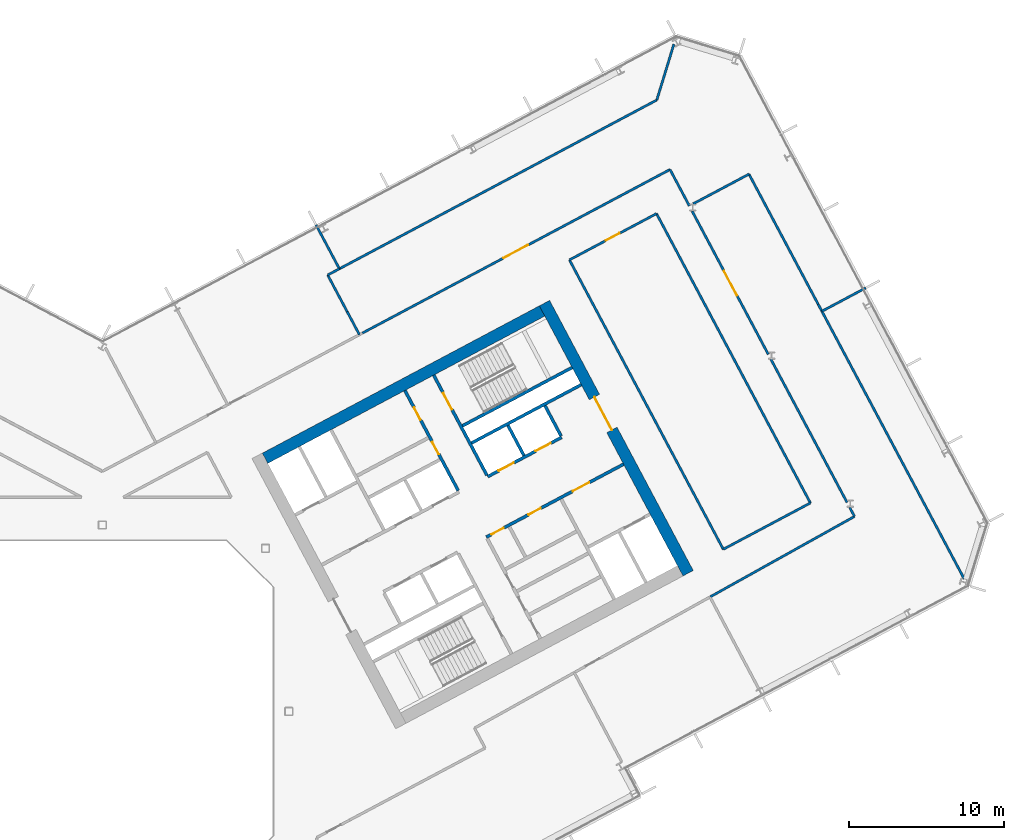
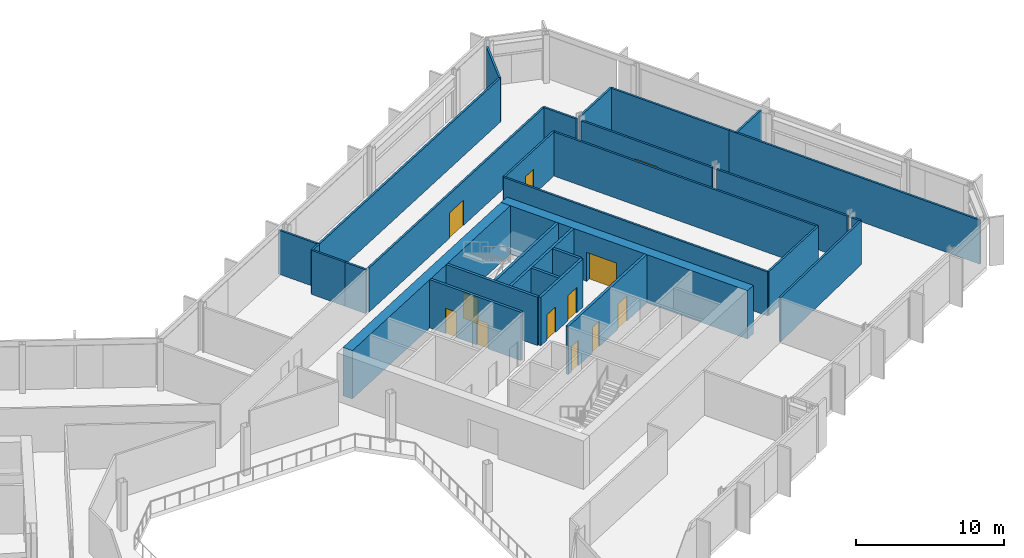
# One storey, part 17 of 28: 30 walls, 12 doors, 12 openings.
"""IFC4 building model written with IfcOpenShell, lengths in metres."""

from ifc_helpers import new_model, si_unit, direction, frame, frame_2d, origin, place, context, subcontext, project, spatial, rectangle, extrude, material, layer, layer_set, type_object, element, fill, save


model = new_model("IFC4")

# Units and contexts
model_context = context("Model", 3, precision=1e-05, world=origin(), true_north=direction((0.0, 1.0)))
body_context = subcontext(model_context, "Body", "Model", "MODEL_VIEW")
ifc_project = project(units=[si_unit("LENGTHUNIT", "METRE"), si_unit("AREAUNIT", "SQUARE_METRE"), si_unit("VOLUMEUNIT", "CUBIC_METRE"), si_unit("PLANEANGLEUNIT", "RADIAN"), si_unit("MASSUNIT", "GRAM", prefix="KILO")], contexts=[model_context])

# Site, building, storey
site_placement = place(None, origin())
site = spatial("IfcSite", under=ifc_project, at=site_placement, CompositionType="ELEMENT")
building_placement = place(site_placement, origin())
building = spatial("IfcBuilding", under=site, at=building_placement, Name="Cormorant Relay Tower", CompositionType="ELEMENT")
storey_placement = place(building_placement, frame((0.0, 0.0, 126.199951171875)))
storey = spatial("IfcBuildingStorey", under=building, at=storey_placement, Name="L25", CompositionType="ELEMENT", Elevation=126.199951171875)

# Wall
ifc_material_1 = material(Name="Concrete 40 MPa", Category="concrete")
ifc_layer_1 = layer(ifc_material_1, 0.199951171875)
ifc_layer_set_1 = layer_set([ifc_layer_1], Name="Core internal wall 200")
wall_type_1 = type_object("IfcWallType", Name="Core internal wall 200", PredefinedType="SOLIDWALL", material=ifc_layer_set_1)
wall_1_placement = place(storey_placement, frame((27.144287109375, 16.471435546875, 0.0), z_axis=(0.0, 0.0, 1.0), x_axis=(-0.469401318492, 0.882984938828, 0.0)))
element("IfcWall", 1, at=wall_1_placement, inside=storey, type_object=wall_type_1, Name="L25 core B shaft and room wall", PredefinedType="SOLIDWALL", context=body_context, shape_type="SweptSolid", body=[
    extrude(rectangle(XDim=2.199951171875, YDim=0.199951171875, at=frame_2d((1.10009765625, 0.0))), origin(), (0.0, 0.0, 1.0), 4.0),
])

# Wall, openings, doors
ifc_material_2 = material(Name="Concrete 50 MPa", Category="concrete")
ifc_layer_2 = layer(ifc_material_2, 0.199951171875)
ifc_layer_set_2 = layer_set([ifc_layer_2], Name="Core shaft wall 200")
wall_type_2 = type_object("IfcWallType", Name="Core shaft wall 200", PredefinedType="SHEAR", material=ifc_layer_set_2)
wall_2_placement = place(storey_placement, frame((22.90625, 14.218017578125, 0.0), z_axis=(0.0, 0.0, 1.0), x_axis=(-0.469480409012, 0.88294288918, 0.0)))
wall_2 = element("IfcWall", 2, at=wall_2_placement, inside=storey, type_object=wall_type_2, Name="L25 core B shaft wall", PredefinedType="SHEAR", context=body_context, shape_type="SweptSolid", body=[
    extrude(rectangle(XDim=7.300048828125, YDim=0.199951171875, at=frame_2d((3.64990234375, 0.0))), origin(), (0.0, 0.0, 1.0), 4.0),
])
opening_1_placement = place(wall_2_placement, frame((2.64990234375, 0.0, 0.0)))
opening_1 = element("IfcOpeningElement", 3, at=opening_1_placement, cuts=wall_2, Name="Opening CDD-179", PredefinedType="OPENING", context=body_context, shape_type="SweptSolid", body=[
    extrude(rectangle(XDim=0.89990234375, YDim=2.10009765625, at=frame_2d((0.449951171875, 1.050048828125))), frame((0.0, 0.10986328125, 0.0), z_axis=(0.0, -1.0, 0.0), x_axis=(1.0, 0.0, 0.0)), (0.0, 0.0, 1.0), 0.219970703125),
])
opening_2_placement = place(wall_2_placement, frame((5.14990234375, 0.0, 0.0)))
opening_2 = element("IfcOpeningElement", 4, at=opening_2_placement, cuts=wall_2, Name="Opening CDD-180", PredefinedType="OPENING", context=body_context, shape_type="SweptSolid", body=[
    extrude(rectangle(XDim=0.89990234375, YDim=2.10009765625, at=frame_2d((0.449951171875, 1.050048828125))), frame((0.0, 0.10986328125, 0.0), z_axis=(0.0, -1.0, 0.0), x_axis=(1.0, 0.0, 0.0)), (0.0, 0.0, 1.0), 0.219970703125),
])
ifc_material_3 = material(Name="Steel fire door", Category="steel")
door_type_1 = type_object("IfcDoorType", Name="Core room door 900x2100", OperationType="SINGLE_SWING_LEFT", PredefinedType="DOOR", material=ifc_material_3)
door_1_placement = place(opening_1_placement, frame((0.89990234375, 0.0, 0.0), z_axis=(0.0, 0.0, 1.0), x_axis=(-1.0, 0.0, 0.0)))
door_1 = element("IfcDoor", 5, at=door_1_placement, inside=storey, type_object=door_type_1, Name="Core room door 900x2100", OperationType="SINGLE_SWING_LEFT", OverallHeight=2.10009765625, OverallWidth=0.89990234375, PredefinedType="DOOR", context=body_context, shape_type="SweptSolid", body=[
    extrude(rectangle(XDim=0.89990234375, YDim=2.10009765625, at=frame_2d((0.449951171875, 1.050048828125))), frame((0.0, 0.02490234375, 0.0), z_axis=(0.0, -1.0, 0.0), x_axis=(1.0, 0.0, 0.0)), (0.0, 0.0, 1.0), 0.050048828125),
])
fill(opening_1, door_1)
door_2_placement = place(opening_2_placement, frame((0.89990234375, 0.0, 0.0), z_axis=(0.0, 0.0, 1.0), x_axis=(-1.0, 0.0, 0.0)))
door_2 = element("IfcDoor", 6, at=door_2_placement, inside=storey, type_object=door_type_1, Name="Core room door 900x2100", OperationType="SINGLE_SWING_LEFT", OverallHeight=2.10009765625, OverallWidth=0.89990234375, PredefinedType="DOOR", context=body_context, shape_type="SweptSolid", body=[
    extrude(rectangle(XDim=0.89990234375, YDim=2.10009765625, at=frame_2d((0.449951171875, 1.050048828125))), frame((0.0, 0.02490234375, 0.0), z_axis=(0.0, -1.0, 0.0), x_axis=(1.0, 0.0, 0.0)), (0.0, 0.0, 1.0), 0.050048828125),
])
fill(opening_2, door_2)

# Wall, opening, door
wall_3_placement = place(storey_placement, frame((24.760498046875, 15.2041015625, 0.0), z_axis=(0.0, 0.0, 1.0), x_axis=(-0.469494272526, 0.882935517501, 0.0)))
wall_3 = element("IfcWall", 7, at=wall_3_placement, inside=storey, type_object=wall_type_2, Name="L25 core B shaft wall", PredefinedType="SHEAR", context=body_context, shape_type="SweptSolid", body=[
    extrude(rectangle(XDim=7.2998046875, YDim=0.199951171875, at=frame_2d((3.64990234375, 0.0))), origin(), (0.0, 0.0, 1.0), 4.0),
])
opening_3_placement = place(wall_3_placement, frame((4.800048828125, 0.0, 0.0)))
opening_3 = element("IfcOpeningElement", 8, at=opening_3_placement, cuts=wall_3, Name="Opening CDB-037", PredefinedType="OPENING", context=body_context, shape_type="SweptSolid", body=[
    extrude(rectangle(XDim=1.199951171875, YDim=2.10009765625, at=frame_2d((0.60009765625, 1.050048828125))), frame((0.0, 0.10986328125, 0.0), z_axis=(0.0, -1.0, 0.0), x_axis=(1.0, 0.0, 0.0)), (0.0, 0.0, 1.0), 0.219970703125),
])
ifc_material_4 = material(Name="Steel fire door", Category="steel")
door_type_2 = type_object("IfcDoorType", Name="Core stair door 1200x2100", OperationType="SINGLE_SWING_LEFT", PredefinedType="DOOR", material=ifc_material_4)
door_3_placement = place(opening_3_placement, frame((1.199951171875, 0.0, 0.0), z_axis=(0.0, 0.0, 1.0), x_axis=(-1.0, 0.0, 0.0)))
door_3 = element("IfcDoor", 9, at=door_3_placement, inside=storey, type_object=door_type_2, Name="Core stair door 1200x2100", OperationType="SINGLE_SWING_RIGHT", OverallHeight=2.10009765625, OverallWidth=1.199951171875, PredefinedType="DOOR", context=body_context, shape_type="SweptSolid", body=[
    extrude(rectangle(XDim=1.199951171875, YDim=2.10009765625, at=frame_2d((0.60009765625, 1.050048828125))), frame((0.0, 0.02490234375, 0.0), z_axis=(0.0, -1.0, 0.0), x_axis=(1.0, 0.0, 0.0)), (0.0, 0.0, 1.0), 0.050048828125),
])
fill(opening_3, door_3)

# Wall
wall_4_placement = place(storey_placement, frame((29.5283203125, 17.739013671875, 0.0), z_axis=(0.0, 0.0, 1.0), x_axis=(-0.469401318492, 0.882984938828, 0.0)))
element("IfcWall", 10, at=wall_4_placement, inside=storey, type_object=wall_type_2, Name="L25 core B shaft wall", PredefinedType="SHEAR", context=body_context, shape_type="SweptSolid", body=[
    extrude(rectangle(XDim=2.199951171875, YDim=0.199951171875, at=frame_2d((1.10009765625, 0.0))), origin(), (0.0, 0.0, 1.0), 4.0),
])

# Wall, openings, doors
wall_5_placement = place(storey_placement, frame((24.72607421875, 11.2216796875, 0.0), z_axis=(0.0, 0.0, 1.0), x_axis=(0.882940221191, 0.469485426614, 0.0)))
wall_5 = element("IfcWall", 11, at=wall_5_placement, inside=storey, type_object=wall_type_2, Name="L25 core B shaft wall", PredefinedType="SHEAR", context=body_context, shape_type="SweptSolid", body=[
    extrude(rectangle(XDim=10.0, YDim=0.199951171875, at=frame_2d((5.0, 0.0))), origin(), (0.0, 0.0, 1.0), 4.0),
])
opening_4_placement = place(wall_5_placement, frame((6.300048828125, 0.0, 0.0)))
opening_4 = element("IfcOpeningElement", 12, at=opening_4_placement, cuts=wall_5, Name="Opening CDC-028", PredefinedType="OPENING", context=body_context, shape_type="SweptSolid", body=[
    extrude(rectangle(XDim=1.199951171875, YDim=2.10009765625, at=frame_2d((0.60009765625, 1.050048828125))), frame((0.0, 0.10986328125, 0.0), z_axis=(0.0, -1.0, 0.0), x_axis=(1.0, 0.0, 0.0)), (0.0, 0.0, 1.0), 0.219970703125),
])
opening_5_placement = place(wall_5_placement, frame((0.360107421875, 0.0, 0.0)))
opening_5 = element("IfcOpeningElement", 13, at=opening_5_placement, cuts=wall_5, Name="Opening CDD-177", PredefinedType="OPENING", context=body_context, shape_type="SweptSolid", body=[
    extrude(rectangle(XDim=0.89990234375, YDim=2.10009765625, at=frame_2d((0.449951171875, 1.050048828125))), frame((0.0, 0.10986328125, 0.0), z_axis=(0.0, -1.0, 0.0), x_axis=(1.0, 0.0, 0.0)), (0.0, 0.0, 1.0), 0.219970703125),
])
opening_6_placement = place(wall_5_placement, frame((3.06005859375, 0.0, 0.0)))
opening_6 = element("IfcOpeningElement", 14, at=opening_6_placement, cuts=wall_5, Name="Opening CDD-178", PredefinedType="OPENING", context=body_context, shape_type="SweptSolid", body=[
    extrude(rectangle(XDim=0.89990234375, YDim=2.10009765625, at=frame_2d((0.449951171875, 1.050048828125))), frame((0.0, 0.10986328125, 0.0), z_axis=(0.0, -1.0, 0.0), x_axis=(1.0, 0.0, 0.0)), (0.0, 0.0, 1.0), 0.219970703125),
])
ifc_material_5 = material(Name="Steel fire door", Category="steel")
door_type_3 = type_object("IfcDoorType", Name="Core lobby door 1200x2100", OperationType="SINGLE_SWING_LEFT", PredefinedType="DOOR", material=ifc_material_5)
door_4_placement = place(opening_4_placement, frame((1.199951171875, 0.0, 0.0), z_axis=(0.0, 0.0, 1.0), x_axis=(-1.0, 0.0, 0.0)))
door_4 = element("IfcDoor", 15, at=door_4_placement, inside=storey, type_object=door_type_3, Name="Core lobby door 1200x2100", OperationType="SINGLE_SWING_RIGHT", OverallHeight=2.10009765625, OverallWidth=1.199951171875, PredefinedType="DOOR", context=body_context, shape_type="SweptSolid", body=[
    extrude(rectangle(XDim=1.199951171875, YDim=2.10009765625, at=frame_2d((0.60009765625, 1.050048828125))), frame((0.0, 0.02490234375, 0.0), z_axis=(0.0, -1.0, 0.0), x_axis=(1.0, 0.0, 0.0)), (0.0, 0.0, 1.0), 0.050048828125),
])
fill(opening_4, door_4)
door_5_placement = place(opening_5_placement, frame((0.89990234375, 0.0, 0.0), z_axis=(0.0, 0.0, 1.0), x_axis=(-1.0, 0.0, 0.0)))
door_5 = element("IfcDoor", 16, at=door_5_placement, inside=storey, type_object=door_type_1, Name="Core room door 900x2100", OperationType="SINGLE_SWING_RIGHT", OverallHeight=2.10009765625, OverallWidth=0.89990234375, PredefinedType="DOOR", context=body_context, shape_type="SweptSolid", body=[
    extrude(rectangle(XDim=0.89990234375, YDim=2.10009765625, at=frame_2d((0.449951171875, 1.050048828125))), frame((0.0, 0.02490234375, 0.0), z_axis=(0.0, -1.0, 0.0), x_axis=(1.0, 0.0, 0.0)), (0.0, 0.0, 1.0), 0.050048828125),
])
fill(opening_5, door_5)
door_6_placement = place(opening_6_placement, frame((0.89990234375, 0.0, 0.0), z_axis=(0.0, 0.0, 1.0), x_axis=(-1.0, 0.0, 0.0)))
door_6 = element("IfcDoor", 17, at=door_6_placement, inside=storey, type_object=door_type_1, Name="Core room door 900x2100", OperationType="SINGLE_SWING_RIGHT", OverallHeight=2.10009765625, OverallWidth=0.89990234375, PredefinedType="DOOR", context=body_context, shape_type="SweptSolid", body=[
    extrude(rectangle(XDim=0.89990234375, YDim=2.10009765625, at=frame_2d((0.449951171875, 1.050048828125))), frame((0.0, 0.02490234375, 0.0), z_axis=(0.0, -1.0, 0.0), x_axis=(1.0, 0.0, 0.0)), (0.0, 0.0, 1.0), 0.050048828125),
])
fill(opening_6, door_6)

wall_6_placement = place(storey_placement, frame((24.807373046875, 15.11572265625, 0.0), z_axis=(0.0, 0.0, 1.0), x_axis=(0.882942972946, 0.469480251476, 0.0)))
wall_6 = element("IfcWall", 18, at=wall_6_placement, inside=storey, type_object=wall_type_2, Name="L25 core B shaft wall", PredefinedType="SHEAR", context=body_context, shape_type="SweptSolid", body=[
    extrude(rectangle(XDim=5.39990234375, YDim=0.199951171875, at=frame_2d((2.699951171875, 0.0))), origin(), (0.0, 0.0, 1.0), 4.0),
])
opening_7_placement = place(wall_6_placement, frame((0.800048828125, 0.0, 0.0)))
opening_7 = element("IfcOpeningElement", 19, at=opening_7_placement, cuts=wall_6, Name="Opening LD1-046", PredefinedType="OPENING", context=body_context, shape_type="SweptSolid", body=[
    extrude(rectangle(XDim=1.10009765625, YDim=2.10009765625, at=frame_2d((0.550048828125, 1.050048828125))), frame((0.0, 0.10986328125, 0.0), z_axis=(0.0, -1.0, 0.0), x_axis=(1.0, 0.0, 0.0)), (0.0, 0.0, 1.0), 0.219970703125),
])
opening_8_placement = place(wall_6_placement, frame((3.5, 0.0, 0.0)))
opening_8 = element("IfcOpeningElement", 20, at=opening_8_placement, cuts=wall_6, Name="Opening LD1-047", PredefinedType="OPENING", context=body_context, shape_type="SweptSolid", body=[
    extrude(rectangle(XDim=1.10009765625, YDim=2.10009765625, at=frame_2d((0.550048828125, 1.050048828125))), frame((0.0, 0.10986328125, 0.0), z_axis=(0.0, -1.0, 0.0), x_axis=(1.0, 0.0, 0.0)), (0.0, 0.0, 1.0), 0.219970703125),
])
ifc_material_6 = material(Name="Stainless steel 316", Category="steel")
door_type_4 = type_object("IfcDoorType", Name="Lift landing door 1100x2100", OperationType="DOUBLE_DOOR_SLIDING", PredefinedType="DOOR", material=ifc_material_6)
door_7_placement = place(opening_7_placement, origin())
door_7 = element("IfcDoor", 21, at=door_7_placement, inside=storey, type_object=door_type_4, Name="LR3 landing door", OperationType="DOUBLE_DOOR_SLIDING", OverallHeight=2.10009765625, OverallWidth=1.10009765625, PredefinedType="DOOR", context=body_context, shape_type="SweptSolid", body=[
    extrude(rectangle(XDim=1.10009765625, YDim=2.10009765625, at=frame_2d((0.550048828125, 1.050048828125))), frame((0.0, 0.02490234375, 0.0), z_axis=(0.0, -1.0, 0.0), x_axis=(1.0, 0.0, 0.0)), (0.0, 0.0, 1.0), 0.050048828125),
])
fill(opening_7, door_7)
door_8_placement = place(opening_8_placement, origin())
door_8 = element("IfcDoor", 22, at=door_8_placement, inside=storey, type_object=door_type_4, Name="LR4 landing door", OperationType="DOUBLE_DOOR_SLIDING", OverallHeight=2.10009765625, OverallWidth=1.10009765625, PredefinedType="DOOR", context=body_context, shape_type="SweptSolid", body=[
    extrude(rectangle(XDim=1.10009765625, YDim=2.10009765625, at=frame_2d((0.550048828125, 1.050048828125))), frame((0.0, 0.02490234375, 0.0), z_axis=(0.0, -1.0, 0.0), x_axis=(1.0, 0.0, 0.0)), (0.0, 0.0, 1.0), 0.050048828125),
])
fill(opening_8, door_8)

# Walls
wall_7_placement = place(storey_placement, frame((23.76904296875, 17.28173828125, 0.0), z_axis=(0.0, 0.0, 1.0), x_axis=(0.882940221191, 0.469485426614, 0.0)))
element("IfcWall", 23, at=wall_7_placement, inside=storey, type_object=wall_type_2, Name="L25 core B shaft wall", PredefinedType="SHEAR", context=body_context, shape_type="SweptSolid", body=[
    extrude(rectangle(XDim=8.0, YDim=0.199951171875, at=frame_2d((4.0, 0.0))), origin(), (0.0, 0.0, 1.0), 4.0),
])
wall_8_placement = place(storey_placement, frame((23.18212890625, 18.385498046875, 0.0), z_axis=(0.0, 0.0, 1.0), x_axis=(0.88295287151, 0.469461634952, 0.0)))
element("IfcWall", 24, at=wall_8_placement, inside=storey, type_object=wall_type_2, Name="L25 core B shaft wall", PredefinedType="SHEAR", context=body_context, shape_type="SweptSolid", body=[
    extrude(rectangle(XDim=7.999755859375, YDim=0.199951171875, at=frame_2d((4.0, 0.0))), origin(), (0.0, 0.0, 1.0), 4.0),
])

# Wall, opening, door
ifc_material_7 = material(Name="Concrete 60 MPa", Category="concrete")
ifc_layer_3 = layer(ifc_material_7, 0.75)
ifc_layer_set_3 = layer_set([ifc_layer_3], Name="Core wall 750")
wall_type_3 = type_object("IfcWallType", Name="Core wall 750", PredefinedType="SHEAR", material=ifc_layer_set_3)
wall_9_placement = place(storey_placement, frame((37.712646484375, 8.896484375, 0.0), z_axis=(0.0, 0.0, 1.0), x_axis=(-0.469469918705, 0.88294846703, 0.0)))
wall_9 = element("IfcWall", 25, at=wall_9_placement, inside=storey, type_object=wall_type_3, Name="L25 core B wall", PredefinedType="SHEAR", context=body_context, shape_type="SweptSolid", body=[
    extrude(rectangle(XDim=19.699951171875, YDim=0.75, at=frame_2d((9.85009765625, 0.0))), origin(), (0.0, 0.0, 1.0), 4.0),
])
opening_9_placement = place(wall_9_placement, frame((10.449951171875, 0.0, 0.0)))
opening_9 = element("IfcOpeningElement", 26, at=opening_9_placement, cuts=wall_9, Name="Opening CDA-029", PredefinedType="OPENING", context=body_context, shape_type="SweptSolid", body=[
    extrude(rectangle(XDim=2.39990234375, YDim=2.39990234375, at=frame_2d((1.199951171875, 1.199951171875))), frame((0.0, 0.385009765625, 0.0), z_axis=(0.0, -1.0, 0.0), x_axis=(1.0, 0.0, 0.0)), (0.0, 0.0, 1.0), 0.77001953125),
])
ifc_material_8 = material(Name="Steel fire door", Category="steel")
door_type_5 = type_object("IfcDoorType", Name="Core lobby door 2400x2400", OperationType="DOUBLE_DOOR_SINGLE_SWING", PredefinedType="DOOR", material=ifc_material_8)
door_9_placement = place(opening_9_placement, origin())
door_9 = element("IfcDoor", 27, at=door_9_placement, inside=storey, type_object=door_type_5, Name="Core lobby door 2400x2400", OperationType="DOUBLE_DOOR_SINGLE_SWING", OverallHeight=2.39990234375, OverallWidth=2.39990234375, PredefinedType="DOOR", context=body_context, shape_type="SweptSolid", body=[
    extrude(rectangle(XDim=2.39990234375, YDim=2.39990234375, at=frame_2d((1.199951171875, 1.199951171875))), frame((0.0, 0.02490234375, 0.0), z_axis=(0.0, -1.0, 0.0), x_axis=(1.0, 0.0, 0.0)), (0.0, 0.0, 1.0), 0.050048828125),
])
fill(opening_9, door_9)

# Walls
wall_10_placement = place(storey_placement, frame((10.4736328125, 16.300048828125, 0.0), z_axis=(0.0, 0.0, 1.0), x_axis=(0.88295010195, 0.469466843842, 0.0)))
element("IfcWall", 28, at=wall_10_placement, inside=storey, type_object=wall_type_3, Name="L25 core B wall", PredefinedType="SHEAR", context=body_context, shape_type="SweptSolid", body=[
    extrude(rectangle(XDim=20.199951171875, YDim=0.75, at=frame_2d((10.10009765625, 0.0))), origin(), (0.0, 0.0, 1.0), 4.0),
])
ifc_material_9 = material(Name="Gypsum board fire partition")
ifc_layer_4 = layer(ifc_material_9, 0.14990234375)
ifc_layer_set_4 = layer_set([ifc_layer_4], Name="Corridor partition 150 EI 60")
wall_type_4 = type_object("IfcWallType", Name="Corridor partition 150 EI 60", PredefinedType="PARTITIONING", material=ifc_layer_set_4)
wall_11_placement = place(storey_placement, frame((37.7890625, 32.556884765625, 0.0), z_axis=(0.0, 0.0, 1.0), x_axis=(-0.469557862383, 0.882901701139, 0.0)))
element("IfcWall", 29, at=wall_11_placement, inside=storey, type_object=wall_type_4, Name="wall/L25/part/061", PredefinedType="PARTITIONING", context=body_context, shape_type="SweptSolid", body=[
    extrude(rectangle(XDim=2.64501953125, YDim=0.14990234375, at=frame_2d((1.322509765625, 0.0))), origin(), (0.0, 0.0, 1.0), 3.64013671875),
])

# Wall, opening, door
wall_12_placement = place(storey_placement, frame((36.547119140625, 34.89208984375, 0.0), z_axis=(0.0, 0.0, 1.0), x_axis=(-0.882949665217, -0.469467665226, 0.0)))
wall_12 = element("IfcWall", 30, at=wall_12_placement, inside=storey, type_object=wall_type_4, Name="wall/L25/part/062", PredefinedType="PARTITIONING", context=body_context, shape_type="SweptSolid", body=[
    extrude(rectangle(XDim=22.431884765625, YDim=0.14990234375, at=frame_2d((11.2158203125, 0.0))), origin(), (0.0, 0.0, 1.0), 3.64013671875),
])
opening_10_placement = place(wall_12_placement, frame((10.35009765625, 0.0, 0.0)))
opening_10 = element("IfcOpeningElement", 31, at=opening_10_placement, cuts=wall_12, Name="Opening DD-003", PredefinedType="OPENING", context=body_context, shape_type="SweptSolid", body=[
    extrude(rectangle(XDim=1.800048828125, YDim=2.10009765625, at=frame_2d((0.89990234375, 1.050048828125))), frame((0.0, 0.0849609375, 0.0), z_axis=(0.0, -1.0, 0.0), x_axis=(1.0, 0.0, 0.0)), (0.0, 0.0, 1.0), 0.169921875),
])
ifc_material_10 = material(Name="Timber door leaf", Category="wood")
door_type_6 = type_object("IfcDoorType", Name="Suite double door 1800x2100", OperationType="DOUBLE_DOOR_SINGLE_SWING", PredefinedType="DOOR", material=ifc_material_10)
door_10_placement = place(opening_10_placement, frame((1.800048828125, 0.0, 0.0), z_axis=(0.0, 0.0, 1.0), x_axis=(-1.0, 0.0, 0.0)))
door_10 = element("IfcDoor", 32, at=door_10_placement, inside=storey, type_object=door_type_6, Name="door/L25/007", OperationType="DOUBLE_DOOR_SINGLE_SWING", OverallHeight=2.10009765625, OverallWidth=1.800048828125, PredefinedType="DOOR", context=body_context, shape_type="SweptSolid", body=[
    extrude(rectangle(XDim=1.800048828125, YDim=2.10009765625, at=frame_2d((0.89990234375, 1.050048828125))), frame((0.0, 0.02490234375, 0.0), z_axis=(0.0, -1.0, 0.0), x_axis=(1.0, 0.0, 0.0)), (0.0, 0.0, 1.0), 0.050048828125),
])
fill(opening_10, door_10)

wall_13_placement = place(storey_placement, frame((37.972900390625, 32.208984375, 0.0), z_axis=(0.0, 0.0, 1.0), x_axis=(0.469526119231, -0.88291858252, 0.0)))
wall_13 = element("IfcWall", 33, at=wall_13_placement, inside=storey, type_object=wall_type_4, Name="wall/L25/part/068", PredefinedType="PARTITIONING", context=body_context, shape_type="SweptSolid", body=[
    extrude(rectangle(XDim=10.442626953125, YDim=0.14990234375, at=frame_2d((5.22119140625, 0.0))), origin(), (0.0, 0.0, 1.0), 3.64013671875),
])
opening_11_placement = place(wall_13_placement, frame((4.35009765625, 0.0, 0.0)))
opening_11 = element("IfcOpeningElement", 34, at=opening_11_placement, cuts=wall_13, Name="Opening DD-002", PredefinedType="OPENING", context=body_context, shape_type="SweptSolid", body=[
    extrude(rectangle(XDim=1.800048828125, YDim=2.10009765625, at=frame_2d((0.89990234375, 1.050048828125))), frame((0.0, 0.0849609375, 0.0), z_axis=(0.0, -1.0, 0.0), x_axis=(1.0, 0.0, 0.0)), (0.0, 0.0, 1.0), 0.169921875),
])
door_11_placement = place(opening_11_placement, origin())
door_11 = element("IfcDoor", 35, at=door_11_placement, inside=storey, type_object=door_type_6, Name="door/L25/006", OperationType="DOUBLE_DOOR_SINGLE_SWING", OverallHeight=2.10009765625, OverallWidth=1.800048828125, PredefinedType="DOOR", context=body_context, shape_type="SweptSolid", body=[
    extrude(rectangle(XDim=1.800048828125, YDim=2.10009765625, at=frame_2d((0.89990234375, 1.050048828125))), frame((0.0, 0.02490234375, 0.0), z_axis=(0.0, -1.0, 0.0), x_axis=(1.0, 0.0, 0.0)), (0.0, 0.0, 1.0), 0.050048828125),
])
fill(opening_11, door_11)

# Walls
wall_14_placement = place(storey_placement, frame((43.0439453125, 22.672119140625, 0.0), z_axis=(0.0, 0.0, 1.0), x_axis=(0.469530755038, -0.882916117235, 0.0)))
element("IfcWall", 36, at=wall_14_placement, inside=storey, type_object=wall_type_4, Name="wall/L25/part/069", PredefinedType="PARTITIONING", context=body_context, shape_type="SweptSolid", body=[
    extrude(rectangle(XDim=10.4404296875, YDim=0.14990234375, at=frame_2d((5.22021484375, 0.0))), origin(), (0.0, 0.0, 1.0), 3.64013671875),
])
wall_15_placement = place(storey_placement, frame((48.114990234375, 13.135986328125, 0.0), z_axis=(0.0, 0.0, 1.0), x_axis=(0.469551655302, -0.882905002253, 0.0)))
element("IfcWall", 37, at=wall_15_placement, inside=storey, type_object=wall_type_4, Name="wall/L25/part/070", PredefinedType="PARTITIONING", context=body_context, shape_type="SweptSolid", body=[
    extrude(rectangle(XDim=0.660400390625, YDim=0.14990234375, at=frame_2d((0.330078125, 0.0))), origin(), (0.0, 0.0, 1.0), 3.64013671875),
])
wall_16_placement = place(storey_placement, frame((48.425048828125, 12.552978515625, 0.0), z_axis=(0.0, 0.0, 1.0), x_axis=(-0.873557655627, -0.486720682009, 0.0)))
element("IfcWall", 38, at=wall_16_placement, inside=storey, type_object=wall_type_4, Name="wall/L25/part/071", PredefinedType="PARTITIONING", context=body_context, shape_type="SweptSolid", body=[
    extrude(rectangle(XDim=10.632568359375, YDim=0.14990234375, at=frame_2d((5.31640625, 0.0))), origin(), (0.0, 0.0, 1.0), 3.64013671875),
])

# Wall, opening, door
wall_17_placement = place(storey_placement, frame((30.072021484375, 29.071044921875, 0.0), z_axis=(0.0, 0.0, 1.0), x_axis=(0.882967334814, 0.469434431685, 0.0)))
wall_17 = element("IfcWall", 39, at=wall_17_placement, inside=storey, type_object=wall_type_4, Name="wall/L25/part/083", PredefinedType="PARTITIONING", context=body_context, shape_type="SweptSolid", body=[
    extrude(rectangle(XDim=6.35009765625, YDim=0.14990234375, at=frame_2d((3.175048828125, 0.0))), origin(), (0.0, 0.0, 1.0), 3.64013671875),
])
opening_12_placement = place(wall_17_placement, frame((2.64990234375, 0.0, 0.0)))
opening_12 = element("IfcOpeningElement", 40, at=opening_12_placement, cuts=wall_17, Name="Opening DS-017", PredefinedType="OPENING", context=body_context, shape_type="SweptSolid", body=[
    extrude(rectangle(XDim=1.0, YDim=2.10009765625, at=frame_2d((0.5, 1.050048828125))), frame((0.0, 0.0849609375, 0.0), z_axis=(0.0, -1.0, 0.0), x_axis=(1.0, 0.0, 0.0)), (0.0, 0.0, 1.0), 0.169921875),
])
ifc_material_11 = material(Name="Timber door leaf", Category="wood")
door_type_7 = type_object("IfcDoorType", Name="Suite door 1000x2100", OperationType="SINGLE_SWING_LEFT", PredefinedType="DOOR", material=ifc_material_11)
door_12_placement = place(opening_12_placement, origin())
door_12 = element("IfcDoor", 41, at=door_12_placement, inside=storey, type_object=door_type_7, Name="door/L25/021", OperationType="SINGLE_SWING_LEFT", OverallHeight=2.10009765625, OverallWidth=1.0, PredefinedType="DOOR", context=body_context, shape_type="SweptSolid", body=[
    extrude(rectangle(XDim=1.0, YDim=2.10009765625, at=frame_2d((0.5, 1.050048828125))), frame((0.0, 0.02490234375, 0.0), z_axis=(0.0, -1.0, 0.0), x_axis=(1.0, 0.0, 0.0)), (0.0, 0.0, 1.0), 0.050048828125),
])
fill(opening_12, door_12)

# Walls
wall_18_placement = place(storey_placement, frame((35.678955078125, 32.052001953125, 0.0), z_axis=(0.0, 0.0, 1.0), x_axis=(0.469483439962, -0.88294127755, 0.0)))
element("IfcWall", 42, at=wall_18_placement, inside=storey, type_object=wall_type_4, Name="wall/L25/part/084", PredefinedType="PARTITIONING", context=body_context, shape_type="SweptSolid", body=[
    extrude(rectangle(XDim=21.099853515625, YDim=0.14990234375, at=frame_2d((10.5498046875, 0.0))), origin(), (0.0, 0.0, 1.0), 3.64013671875),
])
wall_19_placement = place(storey_placement, frame((45.5849609375, 13.422119140625, 0.0), z_axis=(0.0, 0.0, 1.0), x_axis=(-0.88295139861, -0.469464405139, 0.0)))
element("IfcWall", 43, at=wall_19_placement, inside=storey, type_object=wall_type_4, Name="wall/L25/part/085", PredefinedType="PARTITIONING", context=body_context, shape_type="SweptSolid", body=[
    extrude(rectangle(XDim=6.35009765625, YDim=0.14990234375, at=frame_2d((3.175048828125, 0.0))), origin(), (0.0, 0.0, 1.0), 3.64013671875),
])
wall_20_placement = place(storey_placement, frame((39.97802734375, 10.44091796875, 0.0), z_axis=(0.0, 0.0, 1.0), x_axis=(-0.469478643621, 0.882943827876, 0.0)))
element("IfcWall", 44, at=wall_20_placement, inside=storey, type_object=wall_type_4, Name="wall/L25/part/086", PredefinedType="PARTITIONING", context=body_context, shape_type="SweptSolid", body=[
    extrude(rectangle(XDim=21.10009765625, YDim=0.14990234375, at=frame_2d((10.550048828125, 0.0))), origin(), (0.0, 0.0, 1.0), 3.64013671875),
])
ifc_material_12 = material(Name="Gypsum board partition")
ifc_layer_5 = layer(ifc_material_12, 0.14990234375)
ifc_layer_set_5 = layer_set([ifc_layer_5], Name="Tenant partition 150")
wall_type_5 = type_object("IfcWallType", Name="Tenant partition 150", PredefinedType="PARTITIONING", material=ifc_layer_set_5)
wall_21_placement = place(storey_placement, frame((15.760986328125, 25.739013671875, 0.0), z_axis=(0.0, 0.0, 1.0), x_axis=(0.469318416257, -0.883029005278, 0.0)))
element("IfcWall", 45, at=wall_21_placement, inside=storey, type_object=wall_type_5, Name="wall/L25/part/047", PredefinedType="PARTITIONING", context=body_context, shape_type="SweptSolid", body=[
    extrude(rectangle(XDim=1.67724609375, YDim=0.14990234375, at=frame_2d((0.838623046875, 0.0))), origin(), (0.0, 0.0, 1.0), 3.64013671875),
])
wall_22_placement = place(storey_placement, frame((13.757080078125, 31.324951171875, 0.0), z_axis=(0.0, 0.0, 1.0), x_axis=(0.469685095616, -0.882834022315, 0.0)))
element("IfcWall", 46, at=wall_22_placement, inside=storey, type_object=wall_type_5, Name="wall/L25/part/054", PredefinedType="PARTITIONING", context=body_context, shape_type="SweptSolid", body=[
    extrude(rectangle(XDim=3.199951171875, YDim=0.14990234375, at=frame_2d((1.60009765625, 0.0))), origin(), (0.0, 0.0, 1.0), 3.64013671875),
])
wall_23_placement = place(storey_placement, frame((15.258056640625, 28.4990234375, 0.0), z_axis=(0.0, 0.0, 1.0), x_axis=(0.882941691772, 0.469482660948, 0.0)))
element("IfcWall", 47, at=wall_23_placement, inside=storey, type_object=wall_type_5, Name="wall/L25/part/055", PredefinedType="PARTITIONING", context=body_context, shape_type="SweptSolid", body=[
    extrude(rectangle(XDim=23.148681640625, YDim=0.14990234375, at=frame_2d((11.57421875, 0.0))), origin(), (0.0, 0.0, 1.0), 3.64013671875),
])
wall_24_placement = place(storey_placement, frame((35.697021484375, 39.366943359375, 0.0), z_axis=(0.0, 0.0, 1.0), x_axis=(0.292517637823, 0.956260127561, 0.0)))
element("IfcWall", 48, at=wall_24_placement, inside=storey, type_object=wall_type_5, Name="wall/L25/part/056", PredefinedType="PARTITIONING", context=body_context, shape_type="SweptSolid", body=[
    extrude(rectangle(XDim=3.753173828125, YDim=0.14990234375, at=frame_2d((1.87646484375, 0.0))), origin(), (0.0, 0.0, 1.0), 3.64013671875),
])
wall_25_placement = place(storey_placement, frame((15.760986328125, 25.739013671875, 0.0), z_axis=(0.0, 0.0, 1.0), x_axis=(-0.469469065188, 0.882948920851, 0.0)))
element("IfcWall", 49, at=wall_25_placement, inside=storey, type_object=wall_type_5, Name="wall/L25/part/057", PredefinedType="PARTITIONING", context=body_context, shape_type="SweptSolid", body=[
    extrude(rectangle(XDim=2.673095703125, YDim=0.14990234375, at=frame_2d((1.33642578125, 0.0))), origin(), (0.0, 0.0, 1.0), 3.64013671875),
])
wall_26_placement = place(storey_placement, frame((14.506103515625, 28.09912109375, 0.0), z_axis=(0.0, 0.0, 1.0), x_axis=(0.882907789101, 0.469546415113, 0.0)))
element("IfcWall", 50, at=wall_26_placement, inside=storey, type_object=wall_type_5, Name="wall/L25/part/058", PredefinedType="PARTITIONING", context=body_context, shape_type="SweptSolid", body=[
    extrude(rectangle(XDim=0.8515625, YDim=0.14990234375, at=frame_2d((0.42578125, 0.0))), origin(), (0.0, 0.0, 1.0), 3.64013671875),
])
wall_27_placement = place(storey_placement, frame((46.0810546875, 26.22607421875, 0.0), z_axis=(0.0, 0.0, 1.0), x_axis=(-0.469444635522, 0.882961909812, 0.0)))
element("IfcWall", 51, at=wall_27_placement, inside=storey, type_object=wall_type_5, Name="wall/L25/part/066", PredefinedType="PARTITIONING", context=body_context, shape_type="SweptSolid", body=[
    extrude(rectangle(XDim=9.47705078125, YDim=0.14990234375, at=frame_2d((4.738525390625, 0.0))), origin(), (0.0, 0.0, 1.0), 3.64013671875),
])
wall_28_placement = place(storey_placement, frame((41.632080078125, 34.593994140625, 0.0), z_axis=(0.0, 0.0, 1.0), x_axis=(-0.88295491585, -0.469457789984, 0.0)))
element("IfcWall", 52, at=wall_28_placement, inside=storey, type_object=wall_type_5, Name="wall/L25/part/067", PredefinedType="PARTITIONING", context=body_context, shape_type="SweptSolid", body=[
    extrude(rectangle(XDim=4.0703125, YDim=0.14990234375, at=frame_2d((2.03515625, 0.0))), origin(), (0.0, 0.0, 1.0), 3.64013671875),
])
wall_29_placement = place(storey_placement, frame((46.0810546875, 26.22607421875, 0.0), z_axis=(0.0, 0.0, 1.0), x_axis=(0.469497962096, -0.88293355559, 0.0)))
element("IfcWall", 53, at=wall_29_placement, inside=storey, type_object=wall_type_5, Name="wall/L25/part/072", PredefinedType="PARTITIONING", context=body_context, shape_type="SweptSolid", body=[
    extrude(rectangle(XDim=20.031982421875, YDim=0.14990234375, at=frame_2d((10.01611328125, 0.0))), origin(), (0.0, 0.0, 1.0), 3.64013671875),
])
wall_30_placement = place(storey_placement, frame((49.152099609375, 27.26806640625, 0.0), z_axis=(0.0, 0.0, 1.0), x_axis=(-0.882819217955, -0.469712921271, 0.0)))
element("IfcWall", 54, at=wall_30_placement, inside=storey, type_object=wall_type_5, Name="wall/L25/part/073", PredefinedType="PARTITIONING", context=body_context, shape_type="SweptSolid", body=[
    extrude(rectangle(XDim=3.2001953125, YDim=0.14990234375, at=frame_2d((1.60009765625, 0.0))), origin(), (0.0, 0.0, 1.0), 3.64013671875),
])

save(model, "model.ifc")
